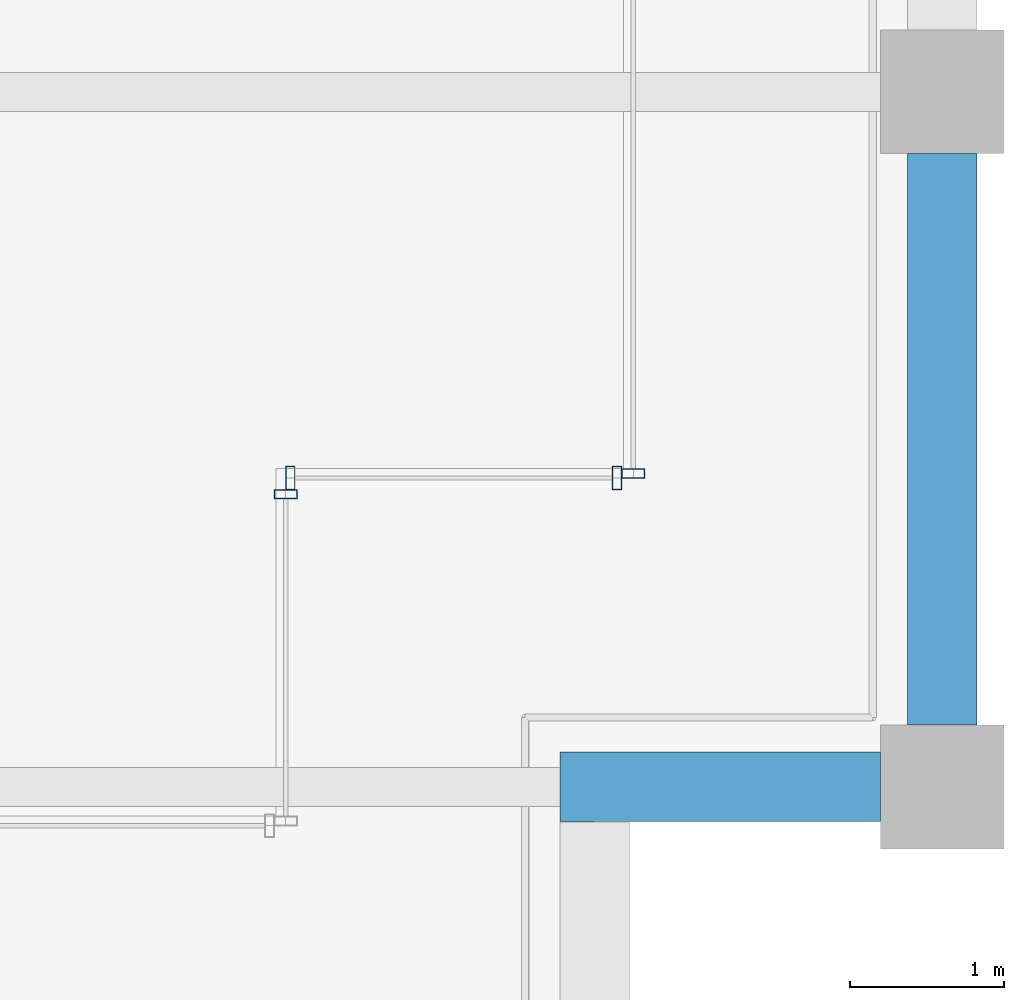
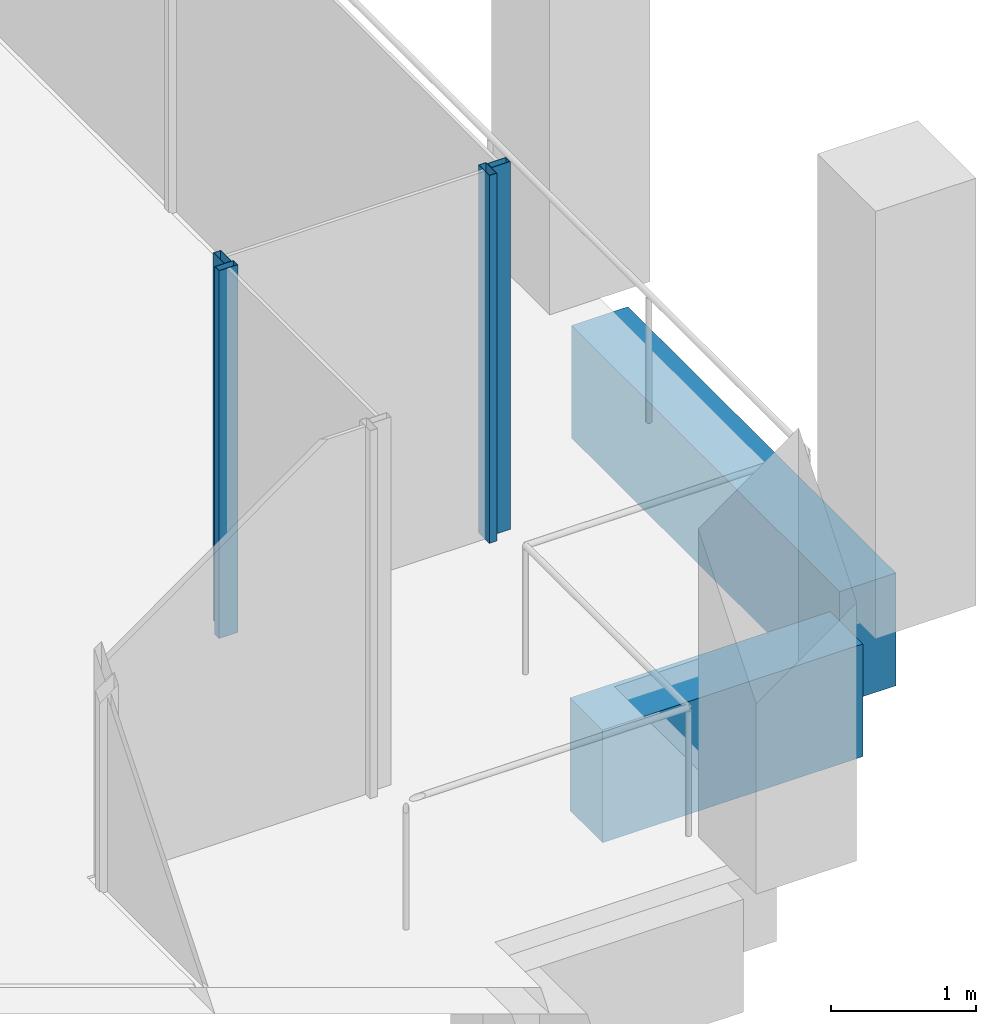
# One storey, part 13 of 30: 4 members, 2 beams, 3 elements without a shape of their own.
"""IFC4 building model written with IfcOpenShell, lengths in metres."""

from ifc_helpers import new_model, si_unit, direction, frame, origin, origin_2d, place, context, subcontext, project, spatial, rectangle, hollow_rectangle, extrude, material, material_profile, profile_set, type_object, element, aggregate, save


model = new_model("IFC4")

# Units and contexts
model_context = context("Model", 3, precision=1e-05, world=origin(), true_north=direction((0.0, 1.0)))
body_context = subcontext(model_context, "Body", "Model", "MODEL_VIEW")
ifc_project = project(units=[si_unit("LENGTHUNIT", "METRE"), si_unit("AREAUNIT", "SQUARE_METRE"), si_unit("VOLUMEUNIT", "CUBIC_METRE"), si_unit("PLANEANGLEUNIT", "RADIAN"), si_unit("MASSUNIT", "GRAM", prefix="KILO")], contexts=[model_context])

# Site, building, storey
site_placement = place(None, origin())
site = spatial("IfcSite", under=ifc_project, at=site_placement, CompositionType="ELEMENT")
building_placement = place(site_placement, origin())
building = spatial("IfcBuilding", under=site, at=building_placement, Name="Altepetl Exchange Towers", CompositionType="ELEMENT")
storey_placement = place(building_placement, frame((0.0, 0.0, 238.800048828125)))
storey = spatial("IfcBuildingStorey", under=building, at=storey_placement, Name="L61", CompositionType="ELEMENT", Elevation=238.800048828125)

# Curtain wall, member
ifc_material_1 = material(Name="Aluminium 6063-T6 glazing", Category="aluminium")
curtain_wall_type = type_object("IfcCurtainWallType", Name="Loggia glazing system", PredefinedType="NOTDEFINED", material=ifc_material_1)
curtain_wall_1_placement = place(storey_placement, origin())
curtain_wall_1 = element("IfcCurtainWall", 1, at=curtain_wall_1_placement, inside=storey, type_object=curtain_wall_type, Name="CW1 run", PredefinedType="NOTDEFINED")
ifc_material_2 = material(Name="Aluminium 6063-T6", Category="aluminium")
ifc_material_profile_1 = material_profile(ifc_material_2, hollow_rectangle(XDim=0.06005859375, YDim=0.14990234375, WallThickness=0.0029296875, at=origin_2d()), Name="Mullion 60x150 aluminium")
ifc_profile_set_1 = profile_set([ifc_material_profile_1], Name="Aluminium 6063-T6")
member_type = type_object("IfcMemberType", Name="Mullion 60x150 aluminium", PredefinedType="MULLION", material=ifc_profile_set_1)
member_1_placement = place(storey_placement, frame((67.75, 33.39501953125, 0.0), z_axis=(0.0, 0.0, 1.0), x_axis=(0.0, 1.0, 0.0)))
member_1 = element("IfcMember", 2, at=member_1_placement, type_object=member_type, Name="MU1 mullion", PredefinedType="MULLION", context=body_context, shape_type="SweptSolid", body=[
    extrude(hollow_rectangle(XDim=0.06005859375, YDim=0.14990234375, WallThickness=0.0029296875, at=origin_2d()), origin(), (0.0, 0.0, 1.0), 3.099853515625),
])
aggregate(curtain_wall_1, [member_1])

# Curtain wall, members
curtain_wall_2_placement = place(storey_placement, origin())
curtain_wall_2 = element("IfcCurtainWall", 3, at=curtain_wall_2_placement, inside=storey, type_object=curtain_wall_type, Name="CW1 run", PredefinedType="NOTDEFINED")
member_2_placement = place(storey_placement, frame((67.780029296875, 33.5, 0.0)))
member_2 = element("IfcMember", 4, at=member_2_placement, type_object=member_type, Name="MU1 mullion", PredefinedType="MULLION", context=body_context, shape_type="SweptSolid", body=[
    extrude(hollow_rectangle(XDim=0.06005859375, YDim=0.14990234375, WallThickness=0.0029296875, at=origin_2d()), origin(), (0.0, 0.0, 1.0), 3.099853515625),
])
member_3_placement = place(storey_placement, frame((69.89501953125, 33.5, 0.0)))
member_3 = element("IfcMember", 5, at=member_3_placement, type_object=member_type, Name="MU1 mullion", PredefinedType="MULLION", context=body_context, shape_type="SweptSolid", body=[
    extrude(hollow_rectangle(XDim=0.06005859375, YDim=0.14990234375, WallThickness=0.0029296875, at=origin_2d()), origin(), (0.0, 0.0, 1.0), 3.099853515625),
])
aggregate(curtain_wall_2, [member_2, member_3])

# Curtain wall, member
curtain_wall_3_placement = place(storey_placement, origin())
curtain_wall_3 = element("IfcCurtainWall", 6, at=curtain_wall_3_placement, inside=storey, type_object=curtain_wall_type, Name="CW1 run", PredefinedType="NOTDEFINED")
member_4_placement = place(storey_placement, frame((70.0, 33.530029296875, 0.0), z_axis=(0.0, 0.0, 1.0), x_axis=(0.0, 1.0, 0.0)))
member_4 = element("IfcMember", 7, at=member_4_placement, type_object=member_type, Name="MU1 mullion", PredefinedType="MULLION", context=body_context, shape_type="SweptSolid", body=[
    extrude(hollow_rectangle(XDim=0.06005859375, YDim=0.14990234375, WallThickness=0.0029296875, at=origin_2d()), origin(), (0.0, 0.0, 1.0), 3.099853515625),
])
aggregate(curtain_wall_3, [member_4])

# Beams
ifc_material_3 = material(Name="Concrete C50/60 precast with cantera amarilla facing", Category="concrete")
ifc_material_profile_2 = material_profile(ifc_material_3, rectangle(XDim=0.449951171875, YDim=0.949951171875, at=origin_2d()), Name="450 x 950")
ifc_profile_set_2 = profile_set([ifc_material_profile_2], Name="Concrete C50/60 precast with cantera amarilla facing")
beam_type = type_object("IfcBeamType", Name="Spandrel beam 450x950 cantera amarilla", PredefinedType="SPANDREL", material=ifc_profile_set_2)
beam_1_placement = place(storey_placement, frame((69.52490234375, 31.5, -0.625), z_axis=(1.0, 0.0, 0.0), x_axis=(0.0, 1.0, 0.0)))
element("IfcBeam", 8, at=beam_1_placement, inside=storey, type_object=beam_type, Name="sp:A:L61:011", PredefinedType="SPANDREL", context=body_context, shape_type="SweptSolid", body=[
    extrude(rectangle(XDim=0.449951171875, YDim=0.949951171875, at=origin_2d()), origin(), (0.0, 0.0, 1.0), 2.0751953125),
])
beam_2_placement = place(storey_placement, frame((72.0, 31.89990234375, -0.625), z_axis=(0.0, 1.0, 0.0), x_axis=(-1.0, 0.0, 0.0)))
element("IfcBeam", 9, at=beam_2_placement, inside=storey, type_object=beam_type, Name="sp:A:L61:012", PredefinedType="SPANDREL", context=body_context, shape_type="SweptSolid", body=[
    extrude(rectangle(XDim=0.449951171875, YDim=0.949951171875, at=origin_2d()), origin(), (0.0, 0.0, 1.0), 3.7001953125),
])

save(model, "model.ifc")
